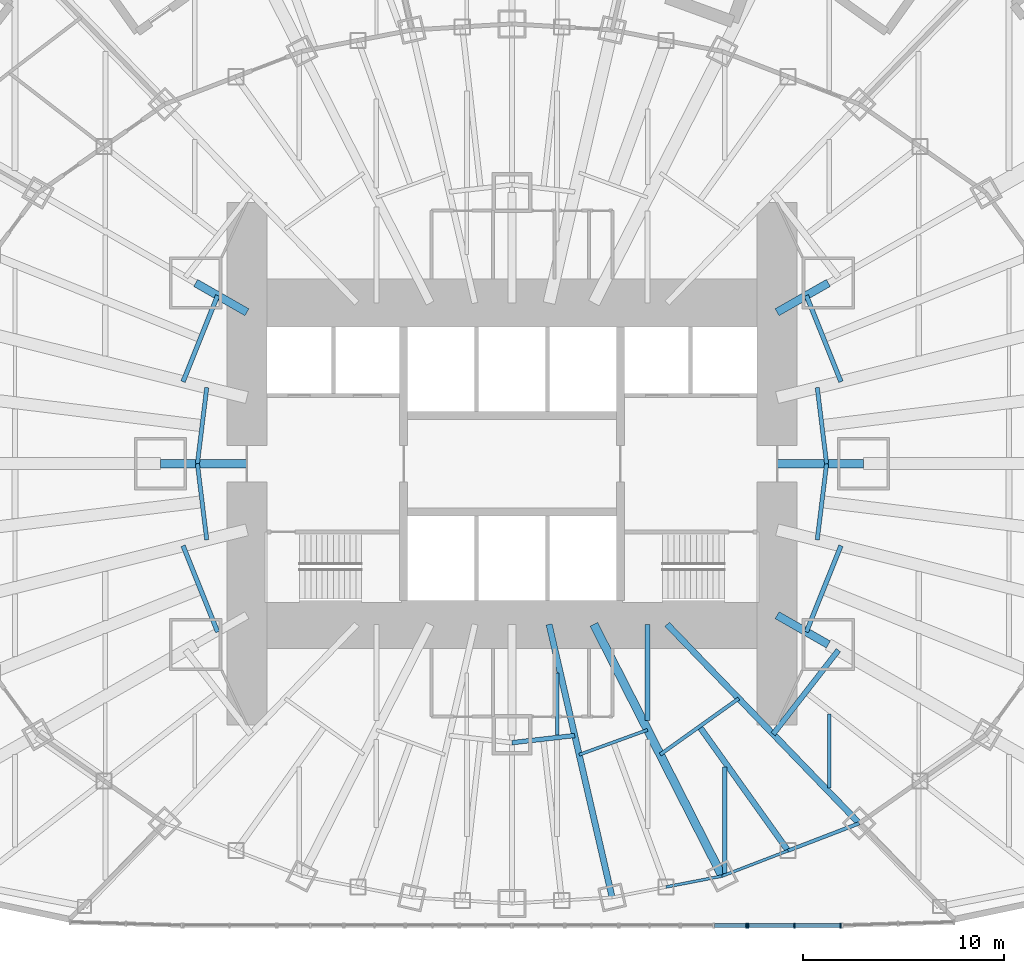
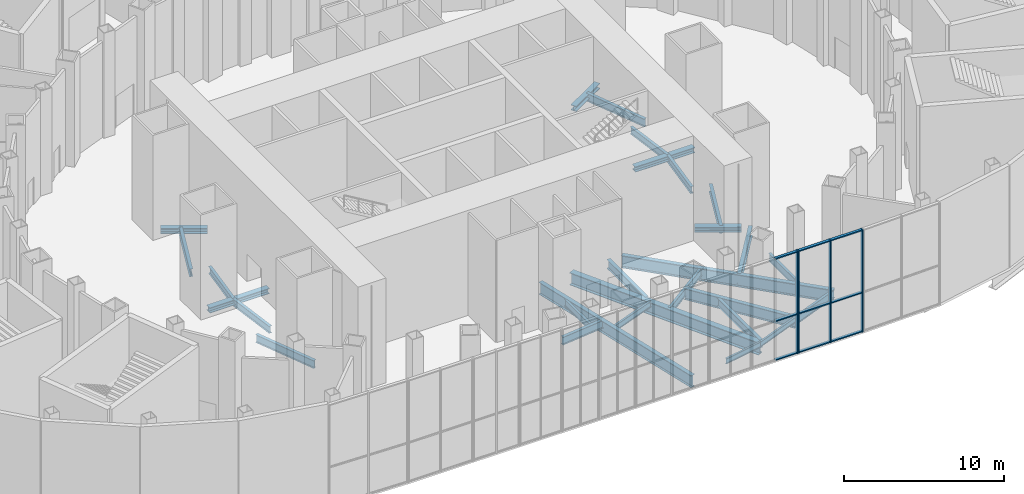
# One storey, part 5 of 74: 28 beams, 13 members, 2 elements without a shape of their own.
"""IFC4 building model written with IfcOpenShell, lengths in metres."""

import ifcopenshell
import ifcopenshell.guid

model = None  # the IFC model being written
_history = None  # IfcOwnerHistory: only IFC2X3 demands one
_inside = {}  # id of a spatial element -> (the spatial element, [elements in it])
_under = {}  # id of a project, library or spatial element -> (it, [spatial elements below it])
_declared = {}  # id of a project -> (the project, [libraries it declares])
_typed = {}  # id of a type object -> (the type object, [elements of that type])
_made_of = {}  # id of a material, layer set ... -> (it, [elements and type objects made of it])


def new_model(schema):
    """Start an empty IFC model of exactly this schema.

    Asked for "IFC4X3", IfcOpenShell would pick the latest addendum, in which some entities
    have other attributes; the version numbers below select the first issue.
    IFC2X3 requires an IfcOwnerHistory on every rooted entity: one is made here for all.
    """
    global model, _history
    if schema == "IFC4X3":
        model = ifcopenshell.file(schema_version=(4, 3, 0, 0))
    else:
        model = ifcopenshell.file(schema=schema)
    _inside.clear()
    _under.clear()
    _declared.clear()
    _typed.clear()
    _made_of.clear()
    _history = None
    if model.schema == "IFC2X3":
        org = make("IfcOrganization", Name="unknown")
        user = make(
            "IfcPersonAndOrganization",
            ThePerson=make("IfcPerson", FamilyName="unknown"),
            TheOrganization=org,
        )
        app = make(
            "IfcApplication",
            ApplicationDeveloper=org,
            Version="unknown",
            ApplicationFullName="unknown",
            ApplicationIdentifier="unknown",
        )
        _history = make(
            "IfcOwnerHistory",
            OwningUser=user,
            OwningApplication=app,
            ChangeAction="ADDED",
            CreationDate=0,
        )
    return model


def make(cls, **values):
    """One entity of the class cls with the attributes given. An attribute that is None is left unset."""
    return model.create_entity(
        cls, **{name: value for name, value in values.items() if value is not None}
    )


def rooted(cls, **values):
    """An entity with a GlobalId (a new one), such as an element, a storey or a relation."""
    return make(cls, GlobalId=ifcopenshell.guid.new(), OwnerHistory=_history, **values)


def si_unit(unit_type, name, prefix=None):
    """IfcSIUnit, for example si_unit("LENGTHUNIT", "METRE", prefix="MILLI")."""
    return make("IfcSIUnit", UnitType=unit_type, Prefix=prefix, Name=name)


def assignment(units):
    """IfcUnitAssignment: the units of a project."""
    return None if units is None else make("IfcUnitAssignment", Units=units)


def point(xyz):
    """IfcCartesianPoint."""
    return None if xyz is None else make("IfcCartesianPoint", Coordinates=xyz)


def direction(xyz):
    """IfcDirection."""
    return None if xyz is None else make("IfcDirection", DirectionRatios=xyz)


def frame(location, z_axis=None, x_axis=None):
    """IfcAxis2Placement3D, a coordinate frame: its origin and axes. An axis left out is left unset."""
    return make(
        "IfcAxis2Placement3D",
        Location=point(location),
        Axis=direction(z_axis),
        RefDirection=direction(x_axis),
    )


def frame_2d(location, x_axis=None):
    """IfcAxis2Placement2D, a coordinate frame in the plane: its origin and x axis."""
    return make(
        "IfcAxis2Placement2D", Location=point(location), RefDirection=direction(x_axis)
    )


def origin():
    """The frame at (0, 0, 0) with its axes left unset."""
    return frame((0.0, 0.0, 0.0))


def origin_2d():
    """The frame at (0, 0) in the plane with its x axis left unset."""
    return frame_2d((0.0, 0.0))


def place(relative_to, where):
    """IfcLocalPlacement: puts the frame where relative to a parent placement (None: the world)."""
    return make(
        "IfcLocalPlacement", PlacementRelTo=relative_to, RelativePlacement=where
    )


def context(
    kind, dimensions, precision=None, world=None, true_north=None, identifier=None
):
    """IfcGeometricRepresentationContext, for example the 3D "Model" context."""
    return make(
        "IfcGeometricRepresentationContext",
        ContextIdentifier=identifier,
        ContextType=kind,
        CoordinateSpaceDimension=dimensions,
        Precision=precision,
        WorldCoordinateSystem=world,
        TrueNorth=true_north,
    )


def subcontext(parent, identifier, kind, view, scale=None):
    """IfcGeometricRepresentationSubContext, for example "Body" below "Model"."""
    return make(
        "IfcGeometricRepresentationSubContext",
        ContextIdentifier=identifier,
        ContextType=kind,
        ParentContext=parent,
        TargetScale=scale,
        TargetView=view,
    )


def project(units=None, contexts=None):
    """IfcProject with its units and contexts."""
    return rooted(
        "IfcProject",
        Name="project",
        RepresentationContexts=contexts,
        UnitsInContext=assignment(units),
    )


def spatial(cls, under=None, at=None, **own):
    """A site, building, storey or space (cls), placed at a placement, below another one or the project."""
    s = rooted(cls, ObjectPlacement=at, **own)
    if under is not None:
        _under.setdefault(under.id(), (under, []))[1].append(s)
    return s


def profile(cls, at=None, kind="AREA", **sizes):
    """A parametric profile (cls). Its sizes go by their IFC names, for example OverallWidth=200.0."""
    return make(cls, ProfileType=kind, Position=at, **sizes)


def rectangle(**sizes):
    """IfcRectangleProfileDef."""
    return profile("IfcRectangleProfileDef", **sizes)


def i_section(**sizes):
    """IfcIShapeProfileDef."""
    return profile("IfcIShapeProfileDef", **sizes)


def extrude(swept, where, along, depth):
    """IfcExtrudedAreaSolid: the profile swept, set in the frame where, extruded along a direction by depth."""
    return make(
        "IfcExtrudedAreaSolid",
        SweptArea=swept,
        Position=where,
        ExtrudedDirection=direction(along),
        Depth=depth,
    )


def shape(context_of_items, identifier, shape_type, items):
    """IfcShapeRepresentation: the items that make up one representation, for example the "Body"."""
    return make(
        "IfcShapeRepresentation",
        ContextOfItems=context_of_items,
        RepresentationIdentifier=identifier,
        RepresentationType=shape_type,
        Items=items,
    )


def material(Name=None, Category=None):
    """IfcMaterial."""
    return make("IfcMaterial", Name=Name, Category=Category)


def material_profile(
    of_material, cross_section, Name=None, Category=None, Priority=None
):
    """IfcMaterialProfile: a cross section and its material."""
    return make(
        "IfcMaterialProfile",
        Name=Name,
        Material=of_material,
        Profile=cross_section,
        Priority=Priority,
        Category=Category,
    )


def profile_set(profiles, Name=None, composite=None):
    """IfcMaterialProfileSet."""
    return make(
        "IfcMaterialProfileSet",
        Name=Name,
        MaterialProfiles=profiles,
        CompositeProfile=composite,
    )


def made_of(thing, what):
    """Note that an element or type object is made of a material, layer set ...; save() writes the relation."""
    if what is not None:
        _made_of.setdefault(what.id(), (what, []))[1].append(thing)
    return thing


def type_object(cls, material=None, **own):
    """A type object (cls), such as IfcWallType, which elements share."""
    return made_of(rooted(cls, **own), material)


def element(
    cls,
    number,
    at=None,
    inside=None,
    cuts=None,
    type_object=None,
    material=None,
    context=None,
    identifier="Body",
    shape_type=None,
    held_by="IfcProductDefinitionShape",
    body=None,
    shapes=None,
    **own,
):
    """One element of the class cls, such as IfcWall. Its Tag is "e" and its number.

    at: its placement. inside: the storey or other place that contains it. cuts: it is an
    opening in that element (IfcRelVoidsElement). A single representation is given by context,
    identifier, shape_type and body (its items); several are given by shapes. held_by: the class
    of the entity that holds the representations. save() writes the other relations.
    """
    e = rooted(cls, Tag="e%d" % number, ObjectPlacement=at, **own)
    if body is not None:
        shapes = [shape(context, identifier, shape_type, body)]
    if shapes is not None:
        e.Representation = make(held_by, Representations=shapes)
    if inside is not None:
        _inside.setdefault(inside.id(), (inside, []))[1].append(e)
    if cuts is not None:
        rooted(
            "IfcRelVoidsElement", RelatingBuildingElement=cuts, RelatedOpeningElement=e
        )
    if type_object is not None:
        _typed.setdefault(type_object.id(), (type_object, []))[1].append(e)
    return made_of(e, material)


def aggregate(whole, parts):
    """IfcRelAggregates: a whole, such as a stair, and the parts it consists of."""
    return rooted("IfcRelAggregates", RelatingObject=whole, RelatedObjects=parts)


def save(model, path):
    """Write the relations noted so far, then the file.

    IfcRelAggregates (storeys below a building ...), IfcRelContainedInSpatialStructure (elements
    in a storey), IfcRelDefinesByType, IfcRelAssociatesMaterial and IfcRelDeclares: one each for
    every whole, place, type object, material and project.
    """
    for whole, parts in _under.values():
        aggregate(whole, parts)
    for where, things in _inside.values():
        rooted(
            "IfcRelContainedInSpatialStructure",
            RelatedElements=things,
            RelatingStructure=where,
        )
    for kind, things in _typed.values():
        rooted("IfcRelDefinesByType", RelatedObjects=things, RelatingType=kind)
    for what, things in _made_of.values():
        rooted("IfcRelAssociatesMaterial", RelatedObjects=things, RelatingMaterial=what)
    for by, libraries in _declared.values():
        rooted("IfcRelDeclares", RelatingContext=by, RelatedDefinitions=libraries)
    model.write(path)


model = new_model("IFC4")

# Units and contexts
model_context = context("Model", 3, precision=1e-05, world=origin(), true_north=direction((0.0, 1.0)))
body_context = subcontext(model_context, "Body", "Model", "MODEL_VIEW")
ifc_project = project(units=[si_unit("LENGTHUNIT", "METRE"), si_unit("AREAUNIT", "SQUARE_METRE"), si_unit("VOLUMEUNIT", "CUBIC_METRE"), si_unit("PLANEANGLEUNIT", "RADIAN"), si_unit("MASSUNIT", "GRAM", prefix="KILO")], contexts=[model_context])

# Site, building, storey
site_placement = place(None, origin())
site = spatial("IfcSite", under=ifc_project, at=site_placement, CompositionType="ELEMENT")
building_placement = place(site_placement, origin())
building = spatial("IfcBuilding", under=site, at=building_placement, Name="Lantaw Convention Tower", CompositionType="ELEMENT")
storey_placement = place(building_placement, frame((0.0, 0.0, 6.5)))
storey = spatial("IfcBuildingStorey", under=building, at=storey_placement, Name="L01", CompositionType="ELEMENT", Elevation=6.5)

# Beams
ifc_material_1 = material(Name="Steel ASTM A992", Category="steel")
ifc_material_profile_1 = material_profile(ifc_material_1, i_section(OverallWidth=0.140380859375, OverallDepth=0.40380859375, WebThickness=0.007080078125, FlangeThickness=0.01123046875, FilletRadius=0.01025390625, at=origin_2d()), Name="W16X31")
ifc_profile_set_1 = profile_set([ifc_material_profile_1], Name="Steel ASTM A992")
beam_type_1 = type_object("IfcBeamType", Name="Beam E W16X31", PredefinedType="SPANDREL", material=ifc_profile_set_1)
beam_1_placement = place(storey_placement, frame((7.671142578125, -21.076416015625, -0.40185546875), z_axis=(0.98163593748, 0.190763954266, 0.0), x_axis=(-0.190763954266, 0.98163593748, 0.0)))
element("IfcBeam", 1, at=beam_1_placement, inside=storey, type_object=beam_type_1, Name="Edge beam 20", PredefinedType="SPANDREL", context=body_context, shape_type="SweptSolid", body=[
    extrude(i_section(OverallWidth=0.140380859375, OverallDepth=0.40380859375, WebThickness=0.007080078125, FlangeThickness=0.01123046875, FilletRadius=0.01025390625, at=origin_2d()), origin(), (0.0, 0.0, 1.0), 2.84375),
])
beam_2_placement = place(storey_placement, frame((10.462646484375, -20.533935546875, -0.40185546875), z_axis=(0.933241815012, 0.359248820058, 0.0), x_axis=(-0.359248820058, 0.933241815012, 0.0)))
element("IfcBeam", 2, at=beam_2_placement, inside=storey, type_object=beam_type_1, Name="Edge beam 21", PredefinedType="SPANDREL", context=body_context, shape_type="SweptSolid", body=[
    extrude(i_section(OverallWidth=0.140380859375, OverallDepth=0.40380859375, WebThickness=0.007080078125, FlangeThickness=0.01123046875, FilletRadius=0.01025390625, at=origin_2d()), origin(), (0.0, 0.0, 1.0), 3.517578125),
])
ifc_material_profile_2 = material_profile(ifc_material_1, i_section(OverallWidth=0.177978515625, OverallDepth=0.599365234375, WebThickness=0.010009765625, FlangeThickness=0.012939453125, FilletRadius=0.012939453125, at=origin_2d()), Name="W24X55")
ifc_profile_set_2 = profile_set([ifc_material_profile_2], Name="Steel ASTM A992")
beam_type_2 = type_object("IfcBeamType", Name="Beam E W24X55", PredefinedType="SPANDREL", material=ifc_profile_set_2)
beam_3_placement = place(storey_placement, frame((13.745361328125, -19.270263671875, -0.499755859375), z_axis=(0.933224646415, 0.359293416754, 0.0), x_axis=(-0.359293416754, 0.933224646415, 0.0)))
element("IfcBeam", 3, at=beam_3_placement, inside=storey, type_object=beam_type_2, Name="Edge beam 21", PredefinedType="SPANDREL", context=body_context, shape_type="SweptSolid", body=[
    extrude(i_section(OverallWidth=0.177978515625, OverallDepth=0.599365234375, WebThickness=0.010009765625, FlangeThickness=0.012939453125, FilletRadius=0.012939453125, at=origin_2d()), origin(), (0.0, 0.0, 1.0), 3.799072265625),
])
ifc_material_profile_3 = material_profile(ifc_material_1, i_section(OverallWidth=0.2919921875, OverallDepth=0.845703125, WebThickness=0.015380859375, FlangeThickness=0.0244140625, FilletRadius=0.01513671875, at=origin_2d()), Name="W33X141")
ifc_profile_set_3 = profile_set([ifc_material_profile_3], Name="Steel ASTM A992")
beam_type_3 = type_object("IfcBeamType", Name="Beam G W33X141", PredefinedType="BEAM", material=ifc_profile_set_3)
beam_4_placement = place(storey_placement, frame((9.335693359375, -13.088134765625, -0.622802734375), z_axis=(0.580702805158, -0.814115625745, 0.0), x_axis=(0.814115625745, 0.580702805158, 0.0)))
element("IfcBeam", 4, at=beam_4_placement, inside=storey, type_object=beam_type_3, Name="Floor girder on bisector 21", PredefinedType="BEAM", context=body_context, shape_type="SweptSolid", body=[
    extrude(i_section(OverallWidth=0.2919921875, OverallDepth=0.845703125, WebThickness=0.015380859375, FlangeThickness=0.0244140625, FilletRadius=0.01513671875, at=origin_2d()), origin(), (0.0, 0.0, 1.0), 7.59375),
])
ifc_material_profile_4 = material_profile(ifc_material_1, i_section(OverallWidth=0.307373046875, OverallDepth=0.922119140625, WebThickness=0.018310546875, FlangeThickness=0.030029296875, FilletRadius=0.0126953125, at=origin_2d()), Name="W36X182")
ifc_profile_set_4 = profile_set([ifc_material_profile_4], Name="Steel ASTM A992")
beam_type_4 = type_object("IfcBeamType", Name="Beam G W36X182", PredefinedType="BEAM", material=ifc_profile_set_4)
beam_5_placement = place(storey_placement, frame((1.846923828125, -8.0, -0.660888671875), z_axis=(0.224952773175, -0.97436966796, 0.0), x_axis=(0.97436966796, 0.224952773175, 0.0)))
element("IfcBeam", 5, at=beam_5_placement, inside=storey, type_object=beam_type_4, Name="Floor girder on ray 20", PredefinedType="BEAM", context=body_context, shape_type="SweptSolid", body=[
    extrude(i_section(OverallWidth=0.307373046875, OverallDepth=0.922119140625, WebThickness=0.018310546875, FlangeThickness=0.030029296875, FilletRadius=0.0126953125, at=origin_2d()), origin(), (0.0, 0.0, 1.0), 13.955810546875),
])
ifc_material_profile_5 = material_profile(ifc_material_1, i_section(OverallWidth=0.307373046875, OverallDepth=0.9423828125, WebThickness=0.022216796875, FlangeThickness=0.039794921875, FilletRadius=0.0126953125, at=origin_2d()), Name="W36X232")
ifc_profile_set_5 = profile_set([ifc_material_profile_5], Name="Steel ASTM A992")
beam_type_5 = type_object("IfcBeamType", Name="Beam G W36X232", PredefinedType="BEAM", material=ifc_profile_set_5)
beam_6_placement = place(storey_placement, frame((7.7255859375, -8.0, -0.671142578125), z_axis=(0.694649884291, -0.719347995239, 0.0), x_axis=(0.719347995239, 0.694649884291, 0.0)))
element("IfcBeam", 6, at=beam_6_placement, inside=storey, type_object=beam_type_5, Name="Floor girder on ray 22", PredefinedType="BEAM", context=body_context, shape_type="SweptSolid", body=[
    extrude(i_section(OverallWidth=0.307373046875, OverallDepth=0.9423828125, WebThickness=0.022216796875, FlangeThickness=0.039794921875, FilletRadius=0.0126953125, at=origin_2d()), origin(), (0.0, 0.0, 1.0), 13.769775390625),
])
ifc_material_profile_6 = material_profile(ifc_material_1, i_section(OverallWidth=0.424072265625, OverallDepth=0.947509765625, WebThickness=0.02392578125, FlangeThickness=0.042724609375, FilletRadius=0.012451171875, at=origin_2d()), Name="W36X302")
ifc_profile_set_6 = profile_set([ifc_material_profile_6], Name="Steel ASTM A992")
beam_type_6 = type_object("IfcBeamType", Name="Beam G W36X302", PredefinedType="BEAM", material=ifc_profile_set_6)
beam_7_placement = place(storey_placement, frame((4.076171875, -8.0, -0.673828125), z_axis=(0.453997016122, -0.891003203896, 0.0), x_axis=(0.891003203896, 0.453997016122, 0.0)))
element("IfcBeam", 7, at=beam_7_placement, inside=storey, type_object=beam_type_6, Name="Floor girder on ray 21", PredefinedType="BEAM", context=body_context, shape_type="SweptSolid", body=[
    extrude(i_section(OverallWidth=0.424072265625, OverallDepth=0.947509765625, WebThickness=0.02392578125, FlangeThickness=0.042724609375, FilletRadius=0.012451171875, at=origin_2d()), origin(), (0.0, 0.0, 1.0), 14.067138671875),
])
ifc_material_profile_7 = material_profile(ifc_material_1, i_section(OverallWidth=0.40380859375, OverallDepth=0.406494140625, WebThickness=0.027099609375, FlangeThickness=0.043701171875, FilletRadius=0.01513671875, at=origin_2d()), Name="W14X233")
ifc_profile_set_7 = profile_set([ifc_material_profile_7], Name="Steel ASTM A992")
beam_type_7 = type_object("IfcBeamType", Name="Beam GM W14X233", PredefinedType="BEAM", material=ifc_profile_set_7)
beam_8_placement = place(storey_placement, frame((13.199951171875, 0.0, -0.4033203125), z_axis=(1.0, 0.0, 0.0), x_axis=(0.0, 1.0, 0.0)))
element("IfcBeam", 8, at=beam_8_placement, inside=storey, type_object=beam_type_7, Name="Core link beam on ray 1", PredefinedType="BEAM", context=body_context, shape_type="SweptSolid", body=[
    extrude(i_section(OverallWidth=0.40380859375, OverallDepth=0.406494140625, WebThickness=0.027099609375, FlangeThickness=0.043701171875, FilletRadius=0.01513671875, at=origin_2d()), origin(), (0.0, 0.0, 1.0), 4.300048828125),
])
for number, where, z_axis, x_axis, name in (
    (9, (13.199951171875, 7.54296875, -0.4033203125), (0.868263603466, 0.496103129295, 0.0), (-0.496103129295, 0.868263603466, 0.0), "Core link beam on ray 3"),
    (10, (-13.199951171875, 7.54296875, -0.4033203125), (-0.868263603466, 0.496103129295, 0.0), (-0.496103129295, -0.868263603466, 0.0), "Core link beam on ray 11"),
):
    element("IfcBeam", number, at=place(storey_placement, frame(where, z_axis=z_axis, x_axis=x_axis)), inside=storey, type_object=beam_type_7, Name=name, PredefinedType="BEAM", context=body_context, shape_type="SweptSolid", body=[
        extrude(i_section(OverallWidth=0.40380859375, OverallDepth=0.406494140625, WebThickness=0.027099609375, FlangeThickness=0.043701171875, FilletRadius=0.01513671875, at=origin_2d()), origin(), (0.0, 0.0, 1.0), 2.93701171875),
    ])
beam_9_placement = place(storey_placement, frame((-13.199951171875, 0.0, -0.4033203125), z_axis=(-1.0, 0.0, 0.0), x_axis=(0.0, -1.0, 0.0)))
element("IfcBeam", 11, at=beam_9_placement, inside=storey, type_object=beam_type_7, Name="Core link beam on ray 13", PredefinedType="BEAM", context=body_context, shape_type="SweptSolid", body=[
    extrude(i_section(OverallWidth=0.40380859375, OverallDepth=0.406494140625, WebThickness=0.027099609375, FlangeThickness=0.043701171875, FilletRadius=0.01513671875, at=origin_2d()), origin(), (0.0, 0.0, 1.0), 4.300048828125),
])
beam_10_placement = place(storey_placement, frame((13.199951171875, -7.54296875, -0.4033203125), z_axis=(0.868263603466, -0.496103129295, 0.0), x_axis=(0.496103129295, 0.868263603466, 0.0)))
element("IfcBeam", 12, at=beam_10_placement, inside=storey, type_object=beam_type_7, Name="Core link beam on ray 23", PredefinedType="BEAM", context=body_context, shape_type="SweptSolid", body=[
    extrude(i_section(OverallWidth=0.40380859375, OverallDepth=0.406494140625, WebThickness=0.027099609375, FlangeThickness=0.043701171875, FilletRadius=0.01513671875, at=origin_2d()), origin(), (0.0, 0.0, 1.0), 2.93701171875),
])
ifc_material_profile_8 = material_profile(ifc_material_1, i_section(OverallWidth=0.15234375, OverallDepth=0.449462890625, WebThickness=0.007568359375, FlangeThickness=0.0107421875, FilletRadius=0.01025390625, at=origin_2d()), Name="W18X35")
ifc_profile_set_8 = profile_set([ifc_material_profile_8], Name="Steel ASTM A992")
beam_type_8 = type_object("IfcBeamType", Name="Beam HC W18X35", PredefinedType="BEAM", material=ifc_profile_set_8)
beam_11_placement = place(storey_placement, frame((3.345947265625, -14.4931640625, -0.4248046875), z_axis=(0.939689171859, 0.342029619025, 0.0), x_axis=(-0.342029619025, 0.939689171859, 0.0)))
element("IfcBeam", 13, at=beam_11_placement, inside=storey, type_object=beam_type_8, Name="Collar beam on bisector 20", PredefinedType="BEAM", context=body_context, shape_type="SweptSolid", body=[
    extrude(i_section(OverallWidth=0.15234375, OverallDepth=0.449462890625, WebThickness=0.007568359375, FlangeThickness=0.0107421875, FilletRadius=0.01025390625, at=origin_2d()), origin(), (0.0, 0.0, 1.0), 3.62548828125),
])
ifc_material_profile_9 = material_profile(ifc_material_1, i_section(OverallWidth=0.2099609375, OverallDepth=0.535888671875, WebThickness=0.010986328125, FlangeThickness=0.017333984375, FilletRadius=0.012939453125, at=origin_2d()), Name="W21X68")
ifc_profile_set_9 = profile_set([ifc_material_profile_9], Name="Steel ASTM A992")
beam_type_9 = type_object("IfcBeamType", Name="Beam HC W21X68", PredefinedType="BEAM", material=ifc_profile_set_9)
for number, where, z_axis, x_axis, name in (
    (14, (15.666015625, 0.0, -0.468017578125), (-0.121925556924, 0.992539247873, 0.0), (-0.992539247873, -0.121925556924, 0.0), "Collar beam on bisector 1"),
    (15, (-15.200439453125, 3.7900390625, -0.468017578125), (-0.121925556924, -0.992539247873, 0.0), (0.992539247873, -0.121925556924, 0.0), "Collar beam on bisector 12"),
    (16, (-15.666015625, 0.0, -0.468017578125), (0.121925556924, -0.992539247873, 0.0), (0.992539247873, 0.121925556924, 0.0), "Collar beam on bisector 13"),
    (17, (15.200439453125, -3.7900390625, -0.468017578125), (0.121925556924, 0.992539247873, 0.0), (-0.992539247873, 0.121925556924, 0.0), "Collar beam on bisector 24"),
):
    element("IfcBeam", number, at=place(storey_placement, frame(where, z_axis=z_axis, x_axis=x_axis)), inside=storey, type_object=beam_type_9, Name=name, PredefinedType="BEAM", context=body_context, shape_type="SweptSolid", body=[
        extrude(i_section(OverallWidth=0.2099609375, OverallDepth=0.535888671875, WebThickness=0.010986328125, FlangeThickness=0.017333984375, FilletRadius=0.012939453125, at=origin_2d()), origin(), (0.0, 0.0, 1.0), 3.818603515625),
    ])
ifc_material_profile_10 = material_profile(ifc_material_1, i_section(OverallWidth=0.177978515625, OverallDepth=0.599365234375, WebThickness=0.010009765625, FlangeThickness=0.012939453125, FilletRadius=0.012939453125, at=origin_2d()), Name="W24X55")
ifc_profile_set_10 = profile_set([ifc_material_profile_10], Name="Steel ASTM A992")
beam_type_10 = type_object("IfcBeamType", Name="Beam HC W24X55", PredefinedType="BEAM", material=ifc_profile_set_10)
beam_12_placement = place(storey_placement, frame((7.379638671875, -14.4833984375, -0.499755859375), z_axis=(0.814110909588, 0.580709416912, 0.0), x_axis=(-0.580709416912, 0.814110909588, 0.0)))
element("IfcBeam", 18, at=beam_12_placement, inside=storey, type_object=beam_type_10, Name="Collar beam on bisector 21", PredefinedType="BEAM", context=body_context, shape_type="SweptSolid", body=[
    extrude(i_section(OverallWidth=0.177978515625, OverallDepth=0.599365234375, WebThickness=0.010009765625, FlangeThickness=0.012939453125, FilletRadius=0.012939453125, at=origin_2d()), origin(), (0.0, 0.0, 1.0), 4.805419921875),
])
ifc_material_profile_11 = material_profile(ifc_material_1, i_section(OverallWidth=0.227783203125, OverallDepth=0.60205078125, WebThickness=0.010498046875, FlangeThickness=0.014892578125, FilletRadius=0.012939453125, at=origin_2d()), Name="W24X68")
ifc_profile_set_11 = profile_set([ifc_material_profile_11], Name="Steel ASTM A992")
beam_type_11 = type_object("IfcBeamType", Name="Beam HC W24X68", PredefinedType="BEAM", material=ifc_profile_set_11)
for number, where, z_axis, x_axis, name in (
    (19, (16.381591796875, 4.08447265625, -0.5009765625), (-0.372591792929, 0.927995342576, 0.0), (-0.927995342576, -0.372591792929, 0.0), "Collar beam on bisector 2"),
    (20, (-14.658447265625, 8.376220703125, -0.5009765625), (-0.372591792929, -0.927995342576, 0.0), (0.927995342576, -0.372591792929, 0.0), "Collar beam on bisector 11"),
    (21, (-16.381591796875, -4.08447265625, -0.5009765625), (0.372591792929, -0.927995342576, 0.0), (0.927995342576, 0.372591792929, 0.0), "Collar beam on bisector 14"),
):
    element("IfcBeam", number, at=place(storey_placement, frame(where, z_axis=z_axis, x_axis=x_axis)), inside=storey, type_object=beam_type_11, Name=name, PredefinedType="BEAM", context=body_context, shape_type="SweptSolid", body=[
        extrude(i_section(OverallWidth=0.227783203125, OverallDepth=0.60205078125, WebThickness=0.010498046875, FlangeThickness=0.014892578125, FilletRadius=0.012939453125, at=origin_2d()), origin(), (0.0, 0.0, 1.0), 4.624755859375),
    ])
beam_13_placement = place(storey_placement, frame((0.0, -13.89111328125, -0.5009765625), z_axis=(0.99356540907, 0.113259780595, 0.0), x_axis=(-0.113259780595, 0.99356540907, 0.0)))
element("IfcBeam", 22, at=beam_13_placement, inside=storey, type_object=beam_type_11, Name="Collar beam on bisector 19", PredefinedType="BEAM", context=body_context, shape_type="SweptSolid", body=[
    extrude(i_section(OverallWidth=0.227783203125, OverallDepth=0.60205078125, WebThickness=0.010498046875, FlangeThickness=0.014892578125, FilletRadius=0.012939453125, at=origin_2d()), origin(), (0.0, 0.0, 1.0), 3.14501953125),
])
beam_14_placement = place(storey_placement, frame((14.658447265625, -8.376220703125, -0.5009765625), z_axis=(0.372591792929, 0.927995342576, 0.0), x_axis=(-0.927995342576, 0.372591792929, 0.0)))
element("IfcBeam", 23, at=beam_14_placement, inside=storey, type_object=beam_type_11, Name="Collar beam on bisector 23", PredefinedType="BEAM", context=body_context, shape_type="SweptSolid", body=[
    extrude(i_section(OverallWidth=0.227783203125, OverallDepth=0.60205078125, WebThickness=0.010498046875, FlangeThickness=0.014892578125, FilletRadius=0.012939453125, at=origin_2d()), origin(), (0.0, 0.0, 1.0), 4.624755859375),
])
ifc_material_profile_12 = material_profile(ifc_material_1, i_section(OverallWidth=0.2666015625, OverallDepth=0.76953125, WebThickness=0.015625, FlangeThickness=0.025390625, FilletRadius=0.0126953125, at=origin_2d()), Name="W30X132")
ifc_profile_set_12 = profile_set([ifc_material_profile_12], Name="Steel ASTM A992")
beam_type_12 = type_object("IfcBeamType", Name="Beam HC W30X132", PredefinedType="BEAM", material=ifc_profile_set_12)
beam_15_placement = place(storey_placement, frame((13.003662109375, -13.465576171875, -0.584716796875), z_axis=(0.613886325717, 0.789394438223, 0.0), x_axis=(-0.789394438223, 0.613886325717, 0.0)))
element("IfcBeam", 24, at=beam_15_placement, inside=storey, type_object=beam_type_12, Name="Collar beam on bisector 22", PredefinedType="BEAM", context=body_context, shape_type="SweptSolid", body=[
    extrude(i_section(OverallWidth=0.2666015625, OverallDepth=0.76953125, WebThickness=0.015625, FlangeThickness=0.025390625, FilletRadius=0.0126953125, at=origin_2d()), origin(), (0.0, 0.0, 1.0), 5.29296875),
])
ifc_material_profile_13 = material_profile(ifc_material_1, i_section(OverallWidth=0.165771484375, OverallDepth=0.5283203125, WebThickness=0.009765625, FlangeThickness=0.013671875, FilletRadius=0.012939453125, at=origin_2d()), Name="W21X50")
ifc_profile_set_13 = profile_set([ifc_material_profile_13], Name="Steel ASTM A992")
beam_type_13 = type_object("IfcBeamType", Name="Beam J W21X50", PredefinedType="JOIST", material=ifc_profile_set_13)
beam_16_placement = place(storey_placement, frame((2.25, -13.52001953125, -0.464111328125), z_axis=(0.0, 1.0, 0.0), x_axis=(-1.0, 0.0, 0.0)))
element("IfcBeam", 25, at=beam_16_placement, inside=storey, type_object=beam_type_13, Name="Floor joist", PredefinedType="JOIST", context=body_context, shape_type="SweptSolid", body=[
    extrude(i_section(OverallWidth=0.165771484375, OverallDepth=0.5283203125, WebThickness=0.009765625, FlangeThickness=0.013671875, FilletRadius=0.012939453125, at=origin_2d()), origin(), (0.0, 0.0, 1.0), 3.091064453125),
])
ifc_material_profile_14 = material_profile(ifc_material_1, i_section(OverallWidth=0.177978515625, OverallDepth=0.599365234375, WebThickness=0.010009765625, FlangeThickness=0.012939453125, FilletRadius=0.012939453125, at=origin_2d()), Name="W24X55")
ifc_profile_set_14 = profile_set([ifc_material_profile_14], Name="Steel ASTM A992")
beam_type_14 = type_object("IfcBeamType", Name="Beam J W24X55", PredefinedType="JOIST", material=ifc_profile_set_14)
beam_17_placement = place(storey_placement, frame((15.800048828125, -16.14013671875, -0.499755859375), z_axis=(0.0, 1.0, 0.0), x_axis=(-1.0, 0.0, 0.0)))
element("IfcBeam", 26, at=beam_17_placement, inside=storey, type_object=beam_type_14, Name="Floor joist", PredefinedType="JOIST", context=body_context, shape_type="SweptSolid", body=[
    extrude(i_section(OverallWidth=0.177978515625, OverallDepth=0.599365234375, WebThickness=0.010009765625, FlangeThickness=0.012939453125, FilletRadius=0.012939453125, at=origin_2d()), origin(), (0.0, 0.0, 1.0), 3.683349609375),
])
ifc_material_profile_15 = material_profile(ifc_material_1, i_section(OverallWidth=0.22900390625, OverallDepth=0.612060546875, WebThickness=0.011962890625, FlangeThickness=0.01953125, FilletRadius=0.0126953125, at=origin_2d()), Name="W24X84")
ifc_profile_set_15 = profile_set([ifc_material_profile_15], Name="Steel ASTM A992")
beam_type_15 = type_object("IfcBeamType", Name="Beam J W24X84", PredefinedType="JOIST", material=ifc_profile_set_15)
beam_18_placement = place(storey_placement, frame((10.60009765625, -20.40576171875, -0.506103515625), z_axis=(0.0, 1.0, 0.0), x_axis=(-1.0, 0.0, 0.0)))
element("IfcBeam", 27, at=beam_18_placement, inside=storey, type_object=beam_type_15, Name="Floor joist", PredefinedType="JOIST", context=body_context, shape_type="SweptSolid", body=[
    extrude(i_section(OverallWidth=0.22900390625, OverallDepth=0.612060546875, WebThickness=0.011962890625, FlangeThickness=0.01953125, FilletRadius=0.0126953125, at=origin_2d()), origin(), (0.0, 0.0, 1.0), 5.293701171875),
])
ifc_material_profile_16 = material_profile(ifc_material_1, i_section(OverallWidth=0.25390625, OverallDepth=0.683349609375, WebThickness=0.012451171875, FlangeThickness=0.01904296875, FilletRadius=0.01513671875, at=origin_2d()), Name="W27X94")
ifc_profile_set_16 = profile_set([ifc_material_profile_16], Name="Steel ASTM A992")
beam_type_16 = type_object("IfcBeamType", Name="Beam J W27X94", PredefinedType="JOIST", material=ifc_profile_set_16)
beam_19_placement = place(storey_placement, frame((6.75, -12.780517578125, -0.541748046875), z_axis=(0.0, 1.0, 0.0), x_axis=(-1.0, 0.0, 0.0)))
element("IfcBeam", 28, at=beam_19_placement, inside=storey, type_object=beam_type_16, Name="Floor joist", PredefinedType="JOIST", context=body_context, shape_type="SweptSolid", body=[
    extrude(i_section(OverallWidth=0.25390625, OverallDepth=0.683349609375, WebThickness=0.012451171875, FlangeThickness=0.01904296875, FilletRadius=0.01513671875, at=origin_2d()), origin(), (0.0, 0.0, 1.0), 4.780517578125),
])

# Curtain wall, member
ifc_material_2 = material(Name="Aluminium framed curtain wall", Category="aluminium")
curtain_wall_type = type_object("IfcCurtainWallType", Name="Podium storefront curtain wall, pale aluminium", PredefinedType="USERDEFINED", material=ifc_material_2)
curtain_wall_1_placement = place(storey_placement, origin())
curtain_wall_1 = element("IfcCurtainWall", 29, at=curtain_wall_1_placement, inside=storey, type_object=curtain_wall_type, Name="Podium storefront curtain wall, pale aluminium L01", ObjectType="STOREFRONT", PredefinedType="USERDEFINED")
ifc_material_3 = material(Name="Aluminium 6063-T6", Category="aluminium")
ifc_material_profile_17 = material_profile(ifc_material_3, rectangle(XDim=0.25, YDim=0.080078125, at=origin_2d()), Name="CW-P mullion 80x250")
ifc_profile_set_17 = profile_set([ifc_material_profile_17], Name="Aluminium 6063-T6")
member_type_1 = type_object("IfcMemberType", Name="CW-P mullion 80x250", PredefinedType="MULLION", material=ifc_profile_set_17)
member_1_placement = place(storey_placement, frame((11.67919921875, -23.0, 0.0), z_axis=(0.0, 0.0, 1.0), x_axis=(0.0, 1.0, 0.0)))
member_1 = element("IfcMember", 30, at=member_1_placement, type_object=member_type_1, Name="CW-P mullion 3", PredefinedType="MULLION", context=body_context, shape_type="SweptSolid", body=[
    extrude(rectangle(XDim=0.25, YDim=0.080078125, at=origin_2d()), origin(), (0.0, 0.0, 1.0), 7.800048828125),
])

# Curtain wall, members
curtain_wall_2_placement = place(storey_placement, origin())
curtain_wall_2 = element("IfcCurtainWall", 31, at=curtain_wall_2_placement, inside=storey, type_object=curtain_wall_type, Name="Podium storefront curtain wall, pale aluminium L01", ObjectType="STOREFRONT", PredefinedType="USERDEFINED")
member_2_placement = place(storey_placement, frame((11.759033203125, -23.0, 0.0), z_axis=(0.0, 0.0, 1.0), x_axis=(0.0, 1.0, 0.0)))
member_2 = element("IfcMember", 32, at=member_2_placement, type_object=member_type_1, Name="CW-P mullion 1", PredefinedType="MULLION", context=body_context, shape_type="SweptSolid", body=[
    extrude(rectangle(XDim=0.25, YDim=0.080078125, at=origin_2d()), origin(), (0.0, 0.0, 1.0), 7.800048828125),
])
member_3_placement = place(storey_placement, frame((14.0625, -23.0, 0.0), z_axis=(0.0, 0.0, 1.0), x_axis=(0.0, 1.0, 0.0)))
member_3 = element("IfcMember", 33, at=member_3_placement, type_object=member_type_1, Name="CW-P mullion 2", PredefinedType="MULLION", context=body_context, shape_type="SweptSolid", body=[
    extrude(rectangle(XDim=0.25, YDim=0.080078125, at=origin_2d()), origin(), (0.0, 0.0, 1.0), 7.800048828125),
])
member_4_placement = place(storey_placement, frame((16.36572265625, -23.0, 0.0), z_axis=(0.0, 0.0, 1.0), x_axis=(0.0, 1.0, 0.0)))
member_4 = element("IfcMember", 34, at=member_4_placement, type_object=member_type_1, Name="CW-P mullion 3", PredefinedType="MULLION", context=body_context, shape_type="SweptSolid", body=[
    extrude(rectangle(XDim=0.25, YDim=0.080078125, at=origin_2d()), origin(), (0.0, 0.0, 1.0), 7.800048828125),
])

# Member
ifc_material_profile_18 = material_profile(ifc_material_3, rectangle(XDim=0.199951171875, YDim=0.080078125, at=origin_2d()), Name="CW-P transom 80x200")
ifc_profile_set_18 = profile_set([ifc_material_profile_18], Name="Aluminium 6063-T6")
member_type_2 = type_object("IfcMemberType", Name="CW-P transom 80x200", PredefinedType="USERDEFINED", material=ifc_profile_set_18)
member_5_placement = place(storey_placement, frame((10.085205078125, -23.0, 0.0400390625), z_axis=(1.0, 0.0, 0.0), x_axis=(0.0, 1.0, 0.0)))
member_5 = element("IfcMember", 35, at=member_5_placement, type_object=member_type_2, Name="CW-P transom 2.1", ObjectType="TRANSOM", PredefinedType="USERDEFINED", context=body_context, shape_type="SweptSolid", body=[
    extrude(rectangle(XDim=0.199951171875, YDim=0.080078125, at=origin_2d()), origin(), (0.0, 0.0, 1.0), 1.553955078125),
])

member_6_placement = place(storey_placement, frame((10.085205078125, -23.0, 3.0), z_axis=(1.0, 0.0, 0.0), x_axis=(0.0, 1.0, 0.0)))
member_6 = element("IfcMember", 36, at=member_6_placement, type_object=member_type_2, Name="CW-P transom 2.2", ObjectType="TRANSOM", PredefinedType="USERDEFINED", context=body_context, shape_type="SweptSolid", body=[
    extrude(rectangle(XDim=0.199951171875, YDim=0.080078125, at=origin_2d()), origin(), (0.0, 0.0, 1.0), 1.553955078125),
])

member_7_placement = place(storey_placement, frame((10.085205078125, -23.0, 7.760009765625), z_axis=(1.0, 0.0, 0.0), x_axis=(0.0, 1.0, 0.0)))
member_7 = element("IfcMember", 37, at=member_7_placement, type_object=member_type_2, Name="CW-P transom 2.3", ObjectType="TRANSOM", PredefinedType="USERDEFINED", context=body_context, shape_type="SweptSolid", body=[
    extrude(rectangle(XDim=0.199951171875, YDim=0.080078125, at=origin_2d()), origin(), (0.0, 0.0, 1.0), 1.553955078125),
])

aggregate(curtain_wall_1, [member_1, member_5, member_6, member_7])

member_8_placement = place(storey_placement, frame((11.799072265625, -23.0, 0.0400390625), z_axis=(1.0, 0.0, 0.0), x_axis=(0.0, 1.0, 0.0)))
member_8 = element("IfcMember", 38, at=member_8_placement, type_object=member_type_2, Name="CW-P transom 1.1", ObjectType="TRANSOM", PredefinedType="USERDEFINED", context=body_context, shape_type="SweptSolid", body=[
    extrude(rectangle(XDim=0.199951171875, YDim=0.080078125, at=origin_2d()), origin(), (0.0, 0.0, 1.0), 2.223388671875),
])

member_9_placement = place(storey_placement, frame((11.799072265625, -23.0, 3.0), z_axis=(1.0, 0.0, 0.0), x_axis=(0.0, 1.0, 0.0)))
member_9 = element("IfcMember", 39, at=member_9_placement, type_object=member_type_2, Name="CW-P transom 1.2", ObjectType="TRANSOM", PredefinedType="USERDEFINED", context=body_context, shape_type="SweptSolid", body=[
    extrude(rectangle(XDim=0.199951171875, YDim=0.080078125, at=origin_2d()), origin(), (0.0, 0.0, 1.0), 2.223388671875),
])

member_10_placement = place(storey_placement, frame((11.799072265625, -23.0, 7.760009765625), z_axis=(1.0, 0.0, 0.0), x_axis=(0.0, 1.0, 0.0)))
member_10 = element("IfcMember", 40, at=member_10_placement, type_object=member_type_2, Name="CW-P transom 1.3", ObjectType="TRANSOM", PredefinedType="USERDEFINED", context=body_context, shape_type="SweptSolid", body=[
    extrude(rectangle(XDim=0.199951171875, YDim=0.080078125, at=origin_2d()), origin(), (0.0, 0.0, 1.0), 2.223388671875),
])

member_11_placement = place(storey_placement, frame((14.102294921875, -23.0, 0.0400390625), z_axis=(1.0, 0.0, 0.0), x_axis=(0.0, 1.0, 0.0)))
member_11 = element("IfcMember", 41, at=member_11_placement, type_object=member_type_2, Name="CW-P transom 2.1", ObjectType="TRANSOM", PredefinedType="USERDEFINED", context=body_context, shape_type="SweptSolid", body=[
    extrude(rectangle(XDim=0.199951171875, YDim=0.080078125, at=origin_2d()), origin(), (0.0, 0.0, 1.0), 2.223388671875),
])

member_12_placement = place(storey_placement, frame((14.102294921875, -23.0, 3.0), z_axis=(1.0, 0.0, 0.0), x_axis=(0.0, 1.0, 0.0)))
member_12 = element("IfcMember", 42, at=member_12_placement, type_object=member_type_2, Name="CW-P transom 2.2", ObjectType="TRANSOM", PredefinedType="USERDEFINED", context=body_context, shape_type="SweptSolid", body=[
    extrude(rectangle(XDim=0.199951171875, YDim=0.080078125, at=origin_2d()), origin(), (0.0, 0.0, 1.0), 2.223388671875),
])

member_13_placement = place(storey_placement, frame((14.102294921875, -23.0, 7.760009765625), z_axis=(1.0, 0.0, 0.0), x_axis=(0.0, 1.0, 0.0)))
member_13 = element("IfcMember", 43, at=member_13_placement, type_object=member_type_2, Name="CW-P transom 2.3", ObjectType="TRANSOM", PredefinedType="USERDEFINED", context=body_context, shape_type="SweptSolid", body=[
    extrude(rectangle(XDim=0.199951171875, YDim=0.080078125, at=origin_2d()), origin(), (0.0, 0.0, 1.0), 2.223388671875),
])

aggregate(curtain_wall_2, [member_2, member_3, member_4, member_8, member_9, member_10, member_11, member_12, member_13])

save(model, "model.ifc")
